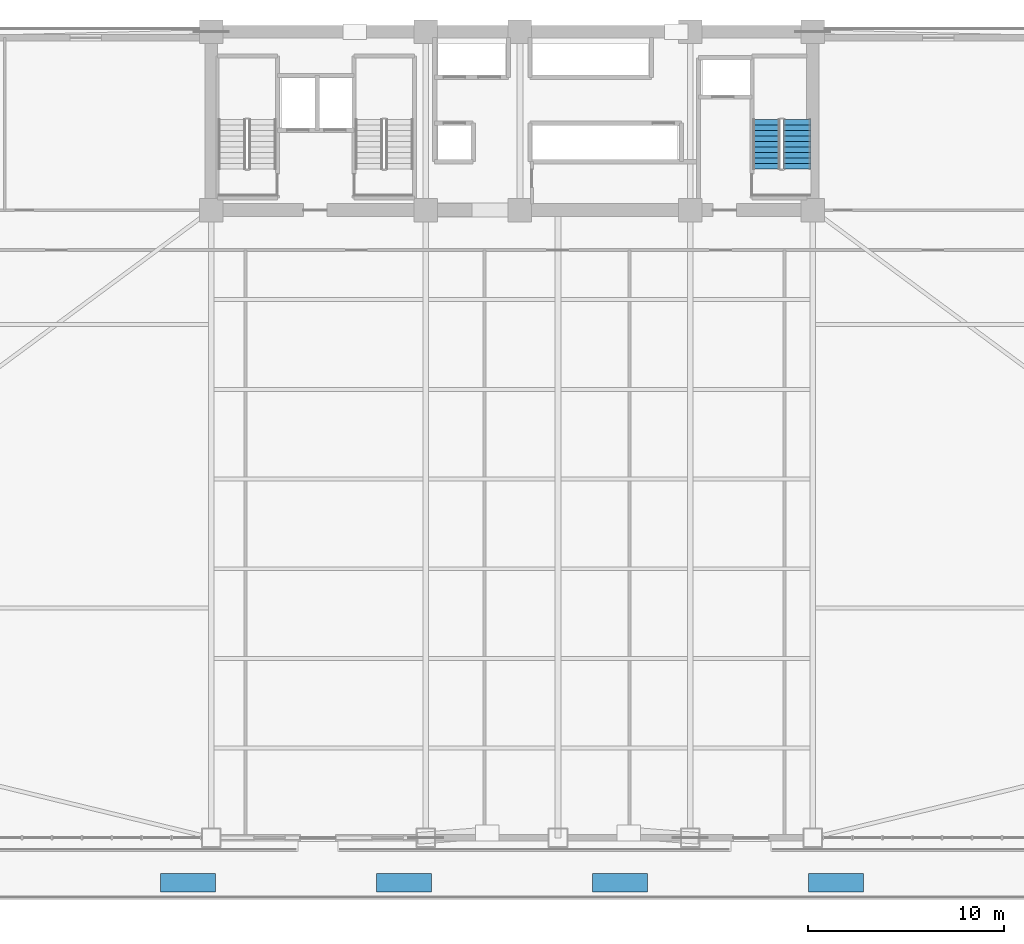
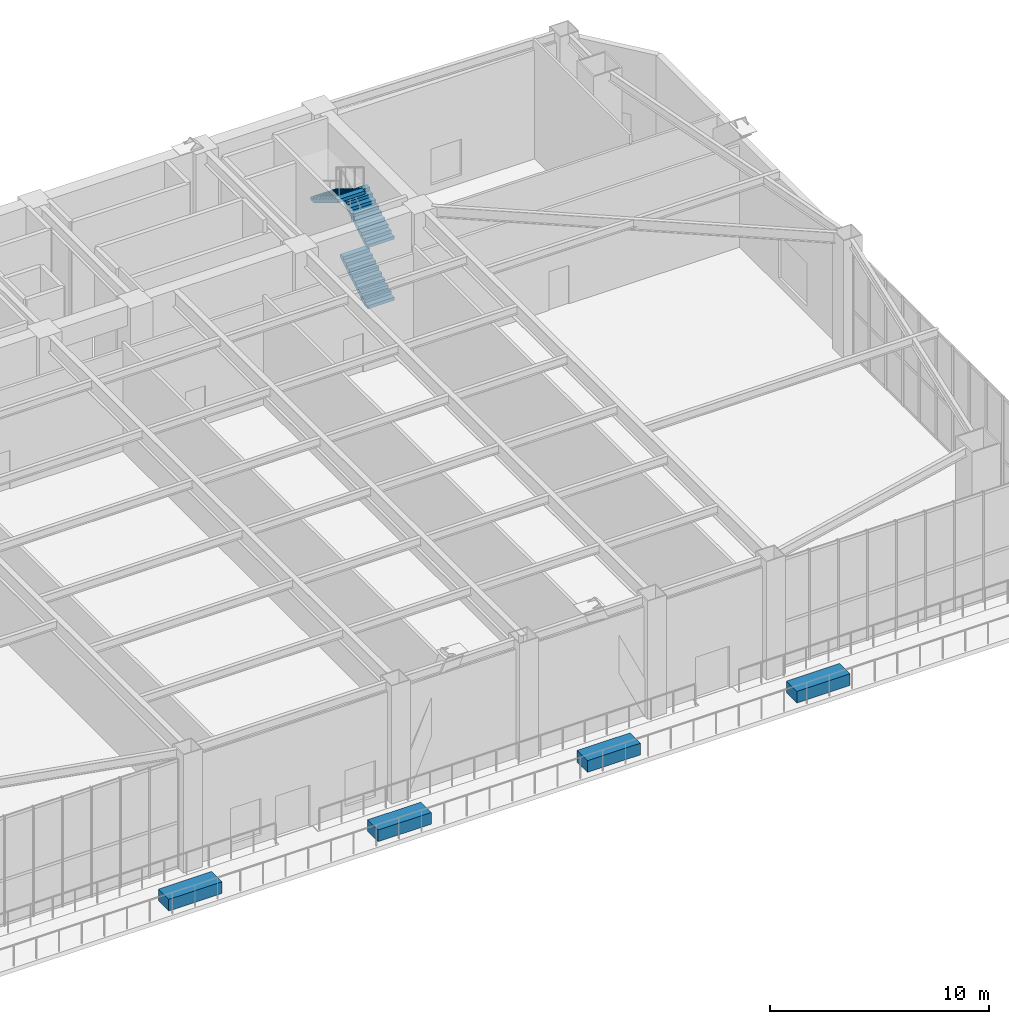
# One storey, part 17 of 22: 4 discrete accessories, 3 stair flights, 1 element without a shape of its own.
"""IFC4 building model written with IfcOpenShell, lengths in metres."""

from ifc_helpers import new_model, si_unit, direction, frame, origin, origin_2d, place, context, subcontext, project, spatial, polyline, rectangle, outline, extrude, source, transform, mapped, material, type_object, element, aggregate, save


model = new_model("IFC4")

# Units and contexts
model_context = context("Model", 3, precision=1e-05, world=origin(), true_north=direction((0.0, 1.0)))
body_context = subcontext(model_context, "Body", "Model", "MODEL_VIEW")
ifc_project = project(units=[si_unit("LENGTHUNIT", "METRE"), si_unit("AREAUNIT", "SQUARE_METRE"), si_unit("VOLUMEUNIT", "CUBIC_METRE"), si_unit("PLANEANGLEUNIT", "RADIAN"), si_unit("MASSUNIT", "GRAM", prefix="KILO")], contexts=[model_context])

# Site, building, storey
site_placement = place(None, origin())
site = spatial("IfcSite", under=ifc_project, at=site_placement, CompositionType="ELEMENT")
building_placement = place(site_placement, origin())
building = spatial("IfcBuilding", under=site, at=building_placement, Name="Giltprow Tower", CompositionType="ELEMENT")
storey_placement = place(building_placement, frame((0.0, 0.0, 72.800048828125)))
storey = spatial("IfcBuildingStorey", under=building, at=storey_placement, Name="L18", CompositionType="ELEMENT", Elevation=72.800048828125)

# Stair, stair flights
ifc_material_1 = material(Name="Concrete C40", Category="concrete")
stair_type = type_object("IfcStairType", Name="STR-ST-3", PredefinedType="HALF_TURN_STAIR", material=ifc_material_1)
stair_placement = place(storey_placement, origin())
stair = element("IfcStair", 1, at=stair_placement, inside=storey, type_object=stair_type, Name="L18 Core Exit Stair ST-3", PredefinedType="HALF_TURN_STAIR")
stair_flight_type = type_object("IfcStairFlightType", Name="SFL-ST-3", PredefinedType="STRAIGHT", material=ifc_material_1)
stair_flight_1_placement = place(storey_placement, frame((49.760009765625, 39.550048828125, 0.0), z_axis=(0.0, 0.0, 1.0), x_axis=(0.0, 1.0, 0.0)))
stair_flight_1 = element("IfcStairFlight", 2, at=stair_flight_1_placement, type_object=stair_flight_type, Name="ST-3 flight 1", NumberOfRisers=10, NumberOfTreads=9, PredefinedType="STRAIGHT", RiserHeight=0.17, TreadLength=0.28, context=body_context, shape_type="SweptSolid", body=[
    extrude(outline(polyline([(0.0, 0.0), (0.0, 0.169921875), (0.280029296875, 0.169921875), (0.280029296875, 0.340087890625), (0.56005859375, 0.340087890625), (0.56005859375, 0.510009765625), (0.840087890625, 0.510009765625), (0.840087890625, 0.679931640625), (1.1201171875, 0.679931640625), (1.1201171875, 0.85009765625), (1.39990234375, 0.85009765625), (1.39990234375, 1.02001953125), (1.679931640625, 1.02001953125), (1.679931640625, 1.18994140625), (1.9599609375, 1.18994140625), (1.9599609375, 1.360107421875), (2.239990234375, 1.360107421875), (2.239990234375, 1.530029296875), (2.52001953125, 1.530029296875), (2.52001953125, 1.699951171875), (2.52001953125, 1.354736328125), (0.288818359375, 0.0), (0.0, 0.0)])), frame((0.0, 0.699951171875, 0.0), z_axis=(0.0, -1.0, 0.0), x_axis=(1.0, 0.0, 0.0)), (0.0, 0.0, 1.0), 1.39990234375),
])
stair_flight_2_placement = place(storey_placement, frame((49.760009765625, 39.550048828125, 3.39990234375), z_axis=(0.0, 0.0, 1.0), x_axis=(0.0, 1.0, 0.0)))
stair_flight_2 = element("IfcStairFlight", 3, at=stair_flight_2_placement, type_object=stair_flight_type, Name="ST-3 flight 3", NumberOfRisers=10, NumberOfTreads=9, PredefinedType="STRAIGHT", RiserHeight=0.17, TreadLength=0.28, context=body_context, shape_type="SweptSolid", body=[
    extrude(outline(polyline([(0.0, 0.0), (0.0, 0.169921875), (0.280029296875, 0.169921875), (0.280029296875, 0.340087890625), (0.56005859375, 0.340087890625), (0.56005859375, 0.510009765625), (0.840087890625, 0.510009765625), (0.840087890625, 0.679931640625), (1.1201171875, 0.679931640625), (1.1201171875, 0.85009765625), (1.39990234375, 0.85009765625), (1.39990234375, 1.02001953125), (1.679931640625, 1.02001953125), (1.679931640625, 1.18994140625), (1.9599609375, 1.18994140625), (1.9599609375, 1.360107421875), (2.239990234375, 1.360107421875), (2.239990234375, 1.530029296875), (2.52001953125, 1.530029296875), (2.52001953125, 1.699951171875), (2.52001953125, 1.354736328125), (0.288818359375, 0.0), (0.0, 0.0)])), frame((0.0, 0.699951171875, 0.0), z_axis=(0.0, -1.0, 0.0), x_axis=(1.0, 0.0, 0.0)), (0.0, 0.0, 1.0), 1.39990234375),
])
stair_flight_3_placement = place(storey_placement, frame((48.199951171875, 42.070068359375, 5.099853515625), z_axis=(0.0, 0.0, 1.0), x_axis=(0.0, -1.0, 0.0)))
stair_flight_3 = element("IfcStairFlight", 4, at=stair_flight_3_placement, type_object=stair_flight_type, Name="ST-3 flight 4", NumberOfRisers=10, NumberOfTreads=9, PredefinedType="STRAIGHT", RiserHeight=0.17, TreadLength=0.28, context=body_context, shape_type="SweptSolid", body=[
    extrude(outline(polyline([(0.0, 0.0), (0.0, 0.169921875), (0.280029296875, 0.169921875), (0.280029296875, 0.340087890625), (0.56005859375, 0.340087890625), (0.56005859375, 0.510009765625), (0.840087890625, 0.510009765625), (0.840087890625, 0.679931640625), (1.1201171875, 0.679931640625), (1.1201171875, 0.85009765625), (1.39990234375, 0.85009765625), (1.39990234375, 1.02001953125), (1.679931640625, 1.02001953125), (1.679931640625, 1.18994140625), (1.9599609375, 1.18994140625), (1.9599609375, 1.360107421875), (2.239990234375, 1.360107421875), (2.239990234375, 1.530029296875), (2.52001953125, 1.530029296875), (2.52001953125, 1.699951171875), (2.52001953125, 1.354736328125), (0.288818359375, 0.0), (0.0, 0.0)])), frame((0.0, 0.699951171875, 0.0), z_axis=(0.0, -1.0, 0.0), x_axis=(1.0, 0.0, 0.0)), (0.0, 0.0, 1.0), 1.39990234375),
])
aggregate(stair, [stair_flight_1, stair_flight_2, stair_flight_3])

# Discrete accessories
ifc_material_2 = material(Name="Precast concrete C40", Category="concrete")
discrete_accessory_type = type_object("IfcDiscreteAccessoryType", Name="ACC-PLANTER-BOX", PredefinedType="USERDEFINED", material=ifc_material_2)
shared_shape = source(origin(), body_context, "Body", "SweptSolid", [
    extrude(rectangle(XDim=2.800048828125, YDim=0.949951171875, at=origin_2d()), origin(), (0.0, 0.0, 1.0), 0.64990234375),
])
for number, where, z_axis, x_axis, name in (
    (5, (18.662109375, 3.10888671875, 0.0), (0.0, 0.0, 1.0), (1.0, 0.0, 0.0), "L18 Sky Garden Tree Planter PLN-1"),
    (6, (29.68701171875, 3.10888671875, 0.0), (0.0, 0.0, 1.0), (1.0, 0.0, 0.0), "L18 Sky Garden Tree Planter PLN-2"),
    (7, (40.712890625, 3.10888671875, 0.0), (0.0, 0.0, 1.0), (1.0, 0.0, 0.0), "L18 Sky Garden Tree Planter PLN-3"),
    (8, (51.738037109375, 3.10888671875, 0.0), (0.0, 0.0, 1.0), (1.0, 0.0, 0.0), "L18 Sky Garden Tree Planter PLN-4"),
):
    element("IfcDiscreteAccessory", number, at=place(storey_placement, frame(where, z_axis=z_axis, x_axis=x_axis)), inside=storey, type_object=discrete_accessory_type, Name=name, ObjectType="PLANTER", PredefinedType="USERDEFINED", context=body_context, shape_type="MappedRepresentation", body=[
        mapped(shared_shape, transform((0.0, 0.0, 0.0), x_axis=(1.0, 0.0, 0.0), y_axis=(0.0, 1.0, 0.0), z_axis=(0.0, 0.0, 1.0), scale=1.0)),
    ])

save(model, "model.ifc")
